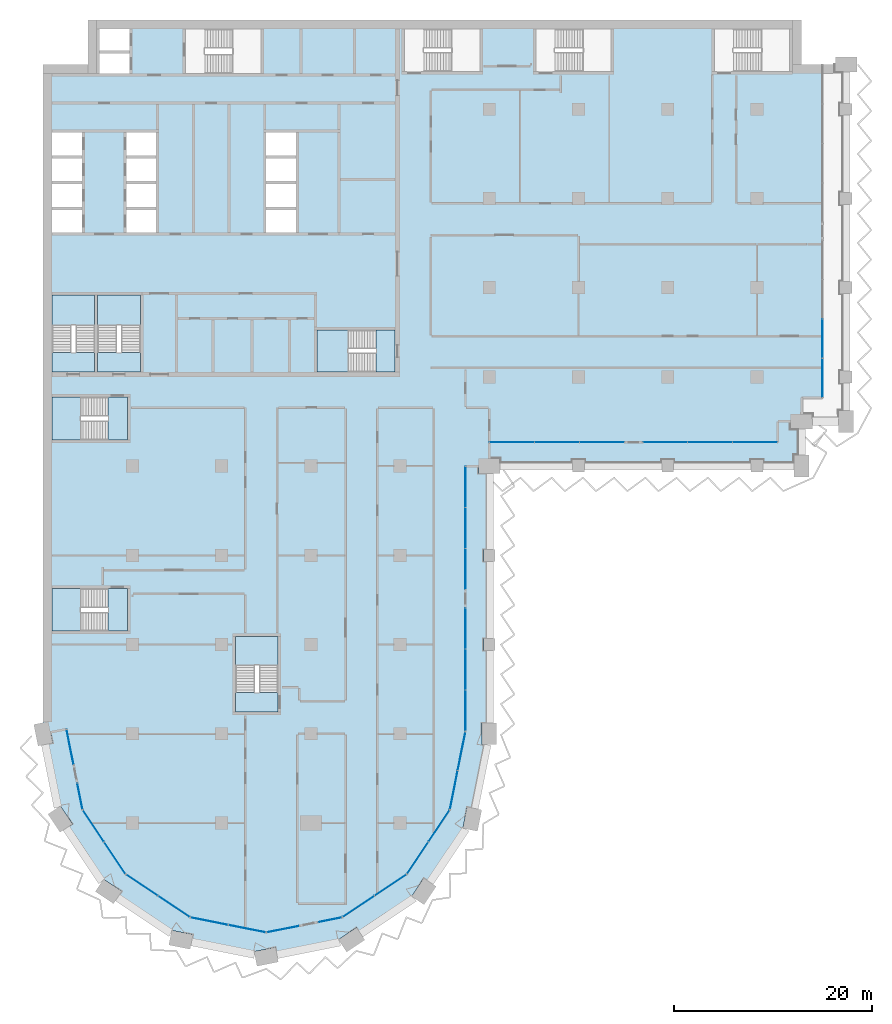
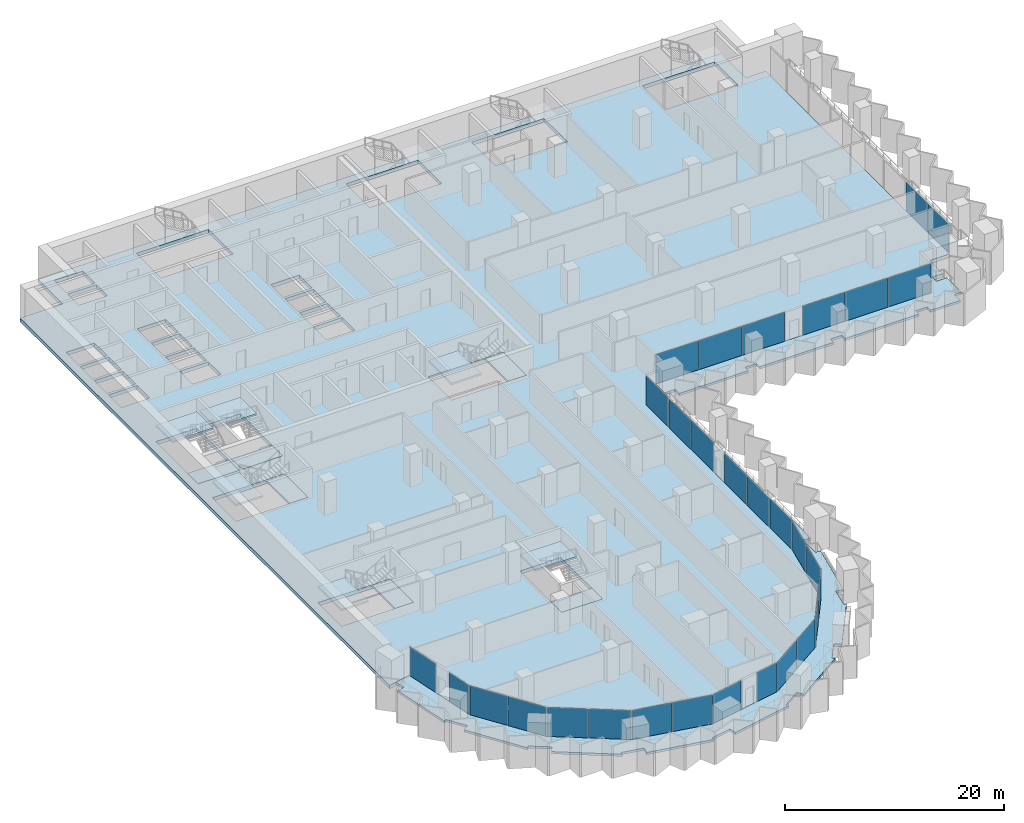
# One storey, part 7 of 23: 30 plates, 15 slabs, 21 elements without a shape of their own.
"""IFC4 building model written with IfcOpenShell, lengths in metres."""

from ifc_helpers import new_model, si_unit, direction, frame, origin, origin_2d, place, context, subcontext, project, spatial, polyline, rectangle, outline, extrude, material, layer, layer_set, type_object, element, aggregate, save


model = new_model("IFC4")

# Units and contexts
model_context = context("Model", 3, precision=1e-05, world=origin(), true_north=direction((0.0, 1.0)))
body_context = subcontext(model_context, "Body", "Model", "MODEL_VIEW")
ifc_project = project(units=[si_unit("LENGTHUNIT", "METRE"), si_unit("AREAUNIT", "SQUARE_METRE"), si_unit("VOLUMEUNIT", "CUBIC_METRE"), si_unit("PLANEANGLEUNIT", "RADIAN"), si_unit("MASSUNIT", "GRAM", prefix="KILO")], contexts=[model_context])

# Site, building, storey
site_placement = place(None, origin())
site = spatial("IfcSite", under=ifc_project, at=site_placement, CompositionType="ELEMENT")
building_placement = place(site_placement, origin())
building = spatial("IfcBuilding", under=site, at=building_placement, Name="Hunhe Ridgeline Campus", CompositionType="ELEMENT")
storey_placement = place(building_placement, frame((0.0, 0.0, 121.800048828125)))
storey = spatial("IfcBuildingStorey", under=building, at=storey_placement, Name="L30", CompositionType="ELEMENT", Elevation=121.800048828125)

# Curtain wall, plate
ifc_material_1 = material(Name="Aluminium 6063", Category="aluminium")
curtain_wall_type_1 = type_object("IfcCurtainWallType", Name="Curtain wall CW-5", PredefinedType="NOTDEFINED", material=ifc_material_1)
curtain_wall_1_placement = place(storey_placement, origin())
curtain_wall_1 = element("IfcCurtainWall", 1, at=curtain_wall_1_placement, inside=storey, type_object=curtain_wall_type_1, Name="Curtain wall 01", PredefinedType="NOTDEFINED")
ifc_material_2 = material(Name="Low-e laminated glass", Category="glass")
ifc_layer_1 = layer(ifc_material_2, 0.028076171875)
ifc_layer_set_1 = layer_set([ifc_layer_1], Name="Curtain wall glass panel 28 low-e laminated")
plate_type = type_object("IfcPlateType", Name="Curtain wall glass panel 28 low-e laminated", PredefinedType="CURTAIN_PANEL", material=ifc_layer_set_1)
plate_1_placement = place(storey_placement, frame((2.7158203125, 25.65380859375, 0.0), z_axis=(0.0, 0.0, 1.0), x_axis=(0.195095326561, -0.980784284924, 0.0)))
plate_1 = element("IfcPlate", 2, at=plate_1_placement, type_object=plate_type, Name="CW-5 panel 1", PredefinedType="CURTAIN_PANEL", context=body_context, shape_type="SweptSolid", body=[
    extrude(rectangle(XDim=3.560791015625, YDim=0.028076171875, at=origin_2d()), origin(), (0.0, 0.0, 1.0), 3.22998046875),
])
aggregate(curtain_wall_1, [plate_1])

curtain_wall_2_placement = place(storey_placement, origin())
curtain_wall_2 = element("IfcCurtainWall", 3, at=curtain_wall_2_placement, inside=storey, type_object=curtain_wall_type_1, Name="Curtain wall 02", PredefinedType="NOTDEFINED")
plate_2_placement = place(storey_placement, frame((3.701171875, 20.699951171875, 0.0), z_axis=(0.0, 0.0, 1.0), x_axis=(0.195095265587, -0.980784297053, 0.0)))
plate_2 = element("IfcPlate", 4, at=plate_2_placement, type_object=plate_type, Name="CW-5 panel 1", PredefinedType="CURTAIN_PANEL", context=body_context, shape_type="SweptSolid", body=[
    extrude(rectangle(XDim=2.660888671875, YDim=0.028076171875, at=origin_2d()), origin(), (0.0, 0.0, 1.0), 3.22998046875),
])
aggregate(curtain_wall_2, [plate_2])

# Curtain wall, plates
curtain_wall_3_placement = place(storey_placement, origin())
curtain_wall_3 = element("IfcCurtainWall", 5, at=curtain_wall_3_placement, inside=storey, type_object=curtain_wall_type_1, Name="Curtain wall 03", PredefinedType="NOTDEFINED")
plate_3_placement = place(storey_placement, frame((5.07080078125, 17.685546875, 0.0), z_axis=(0.0, 0.0, 1.0), x_axis=(0.555570274596, -0.831469584522, 0.0)))
plate_3 = element("IfcPlate", 6, at=plate_3_placement, type_object=plate_type, Name="CW-5 panel 1", PredefinedType="CURTAIN_PANEL", context=body_context, shape_type="SweptSolid", body=[
    extrude(rectangle(XDim=3.806884765625, YDim=0.028076171875, at=origin_2d()), origin(), (0.0, 0.0, 1.0), 3.22998046875),
])
plate_4_placement = place(storey_placement, frame((7.224609375, 14.4619140625, 0.0), z_axis=(0.0, 0.0, 1.0), x_axis=(0.555570274596, -0.831469584522, 0.0)))
plate_4 = element("IfcPlate", 7, at=plate_4_placement, type_object=plate_type, Name="CW-5 panel 2", PredefinedType="CURTAIN_PANEL", context=body_context, shape_type="SweptSolid", body=[
    extrude(rectangle(XDim=3.806884765625, YDim=0.028076171875, at=origin_2d()), origin(), (0.0, 0.0, 1.0), 3.22998046875),
])
aggregate(curtain_wall_3, [plate_3, plate_4])

curtain_wall_4_placement = place(storey_placement, origin())
curtain_wall_4 = element("IfcCurtainWall", 8, at=curtain_wall_4_placement, inside=storey, type_object=curtain_wall_type_1, Name="Curtain wall 04", PredefinedType="NOTDEFINED")
plate_5_placement = place(storey_placement, frame((9.9619140625, 11.724609375, 0.0), z_axis=(0.0, 0.0, 1.0), x_axis=(0.831469584522, -0.555570274596, 0.0)))
plate_5 = element("IfcPlate", 9, at=plate_5_placement, type_object=plate_type, Name="CW-5 panel 1", PredefinedType="CURTAIN_PANEL", context=body_context, shape_type="SweptSolid", body=[
    extrude(rectangle(XDim=3.806884765625, YDim=0.028076171875, at=origin_2d()), origin(), (0.0, 0.0, 1.0), 3.22998046875),
])
plate_6_placement = place(storey_placement, frame((13.185546875, 9.57080078125, 0.0), z_axis=(0.0, 0.0, 1.0), x_axis=(0.831469584522, -0.555570274596, 0.0)))
plate_6 = element("IfcPlate", 10, at=plate_6_placement, type_object=plate_type, Name="CW-5 panel 2", PredefinedType="CURTAIN_PANEL", context=body_context, shape_type="SweptSolid", body=[
    extrude(rectangle(XDim=3.806884765625, YDim=0.028076171875, at=origin_2d()), origin(), (0.0, 0.0, 1.0), 3.22998046875),
])
aggregate(curtain_wall_4, [plate_5, plate_6])

curtain_wall_5_placement = place(storey_placement, origin())
curtain_wall_5 = element("IfcCurtainWall", 11, at=curtain_wall_5_placement, inside=storey, type_object=curtain_wall_type_1, Name="Curtain wall 05", PredefinedType="NOTDEFINED")
plate_7_placement = place(storey_placement, frame((16.761962890625, 8.08935546875, 0.0), z_axis=(0.0, 0.0, 1.0), x_axis=(0.980785275326, -0.195090347539, 0.0)))
plate_7 = element("IfcPlate", 12, at=plate_7_placement, type_object=plate_type, Name="CW-5 panel 1", PredefinedType="CURTAIN_PANEL", context=body_context, shape_type="SweptSolid", body=[
    extrude(rectangle(XDim=3.806884765625, YDim=0.028076171875, at=origin_2d()), origin(), (0.0, 0.0, 1.0), 3.22998046875),
])
plate_8_placement = place(storey_placement, frame((20.564453125, 7.3330078125, 0.0), z_axis=(0.0, 0.0, 1.0), x_axis=(0.980785275326, -0.195090347539, 0.0)))
plate_8 = element("IfcPlate", 13, at=plate_8_placement, type_object=plate_type, Name="CW-5 panel 2", PredefinedType="CURTAIN_PANEL", context=body_context, shape_type="SweptSolid", body=[
    extrude(rectangle(XDim=3.806884765625, YDim=0.028076171875, at=origin_2d()), origin(), (0.0, 0.0, 1.0), 3.22998046875),
])
aggregate(curtain_wall_5, [plate_7, plate_8])

# Curtain wall, plate
curtain_wall_6_placement = place(storey_placement, origin())
curtain_wall_6 = element("IfcCurtainWall", 14, at=curtain_wall_6_placement, inside=storey, type_object=curtain_wall_type_1, Name="Curtain wall 06", PredefinedType="NOTDEFINED")
plate_9_placement = place(storey_placement, frame((24.19775390625, 7.28564453125, 0.0), z_axis=(0.0, 0.0, 1.0), x_axis=(0.980785270791, 0.19509037034, 0.0)))
plate_9 = element("IfcPlate", 15, at=plate_9_placement, type_object=plate_type, Name="CW-5 panel 1", PredefinedType="CURTAIN_PANEL", context=body_context, shape_type="SweptSolid", body=[
    extrude(rectangle(XDim=3.322021484375, YDim=0.028076171875, at=origin_2d()), origin(), (0.0, 0.0, 1.0), 3.22998046875),
])
aggregate(curtain_wall_6, [plate_9])

curtain_wall_7_placement = place(storey_placement, origin())
curtain_wall_7 = element("IfcCurtainWall", 16, at=curtain_wall_7_placement, inside=storey, type_object=curtain_wall_type_1, Name="Curtain wall 07", PredefinedType="NOTDEFINED")
plate_10_placement = place(storey_placement, frame((28.917236328125, 8.224609375, 0.0), z_axis=(0.0, 0.0, 1.0), x_axis=(0.980785242091, 0.195090514627, 0.0)))
plate_10 = element("IfcPlate", 17, at=plate_10_placement, type_object=plate_type, Name="CW-5 panel 1", PredefinedType="CURTAIN_PANEL", context=body_context, shape_type="SweptSolid", body=[
    extrude(rectangle(XDim=2.421875, YDim=0.028076171875, at=origin_2d()), origin(), (0.0, 0.0, 1.0), 3.22998046875),
])
aggregate(curtain_wall_7, [plate_10])

# Curtain wall, plates
curtain_wall_8_placement = place(storey_placement, origin())
curtain_wall_8 = element("IfcCurtainWall", 18, at=curtain_wall_8_placement, inside=storey, type_object=curtain_wall_type_1, Name="Curtain wall 08", PredefinedType="NOTDEFINED")
plate_11_placement = place(storey_placement, frame((31.814453125, 9.57080078125, 0.0), z_axis=(0.0, 0.0, 1.0), x_axis=(0.831469584522, 0.555570274596, 0.0)))
plate_11 = element("IfcPlate", 19, at=plate_11_placement, type_object=plate_type, Name="CW-5 panel 1", PredefinedType="CURTAIN_PANEL", context=body_context, shape_type="SweptSolid", body=[
    extrude(rectangle(XDim=3.806884765625, YDim=0.028076171875, at=origin_2d()), origin(), (0.0, 0.0, 1.0), 3.22998046875),
])
plate_12_placement = place(storey_placement, frame((35.0380859375, 11.724609375, 0.0), z_axis=(0.0, 0.0, 1.0), x_axis=(0.831469584522, 0.555570274596, 0.0)))
plate_12 = element("IfcPlate", 20, at=plate_12_placement, type_object=plate_type, Name="CW-5 panel 2", PredefinedType="CURTAIN_PANEL", context=body_context, shape_type="SweptSolid", body=[
    extrude(rectangle(XDim=3.806884765625, YDim=0.028076171875, at=origin_2d()), origin(), (0.0, 0.0, 1.0), 3.22998046875),
])
aggregate(curtain_wall_8, [plate_11, plate_12])

curtain_wall_9_placement = place(storey_placement, origin())
curtain_wall_9 = element("IfcCurtainWall", 21, at=curtain_wall_9_placement, inside=storey, type_object=curtain_wall_type_1, Name="Curtain wall 09", PredefinedType="NOTDEFINED")
plate_13_placement = place(storey_placement, frame((37.775390625, 14.4619140625, 0.0), z_axis=(0.0, 0.0, 1.0), x_axis=(0.555570274596, 0.831469584522, 0.0)))
plate_13 = element("IfcPlate", 22, at=plate_13_placement, type_object=plate_type, Name="CW-5 panel 1", PredefinedType="CURTAIN_PANEL", context=body_context, shape_type="SweptSolid", body=[
    extrude(rectangle(XDim=3.806884765625, YDim=0.028076171875, at=origin_2d()), origin(), (0.0, 0.0, 1.0), 3.22998046875),
])
plate_14_placement = place(storey_placement, frame((39.92919921875, 17.685546875, 0.0), z_axis=(0.0, 0.0, 1.0), x_axis=(0.555570274596, 0.831469584522, 0.0)))
plate_14 = element("IfcPlate", 23, at=plate_14_placement, type_object=plate_type, Name="CW-5 panel 2", PredefinedType="CURTAIN_PANEL", context=body_context, shape_type="SweptSolid", body=[
    extrude(rectangle(XDim=3.806884765625, YDim=0.028076171875, at=origin_2d()), origin(), (0.0, 0.0, 1.0), 3.22998046875),
])
aggregate(curtain_wall_9, [plate_13, plate_14])

curtain_wall_10_placement = place(storey_placement, origin())
curtain_wall_10 = element("IfcCurtainWall", 24, at=curtain_wall_10_placement, inside=storey, type_object=curtain_wall_type_1, Name="Curtain wall 10", PredefinedType="NOTDEFINED")
plate_15_placement = place(storey_placement, frame((41.42236328125, 21.321044921875, 0.0), z_axis=(0.0, 0.0, 1.0), x_axis=(0.195090299215, 0.980785284939, 0.0)))
plate_15 = element("IfcPlate", 25, at=plate_15_placement, type_object=plate_type, Name="CW-5 panel 1", PredefinedType="CURTAIN_PANEL", context=body_context, shape_type="SweptSolid", body=[
    extrude(rectangle(XDim=3.927490234375, YDim=0.028076171875, at=origin_2d()), origin(), (0.0, 0.0, 1.0), 3.22998046875),
])
plate_16_placement = place(storey_placement, frame((42.2021484375, 25.24169921875, 0.0), z_axis=(0.0, 0.0, 1.0), x_axis=(0.195090299215, 0.980785284939, 0.0)))
plate_16 = element("IfcPlate", 26, at=plate_16_placement, type_object=plate_type, Name="CW-5 panel 2", PredefinedType="CURTAIN_PANEL", context=body_context, shape_type="SweptSolid", body=[
    extrude(rectangle(XDim=3.927490234375, YDim=0.028076171875, at=origin_2d()), origin(), (0.0, 0.0, 1.0), 3.22998046875),
])
aggregate(curtain_wall_10, [plate_15, plate_16])

curtain_wall_type_2 = type_object("IfcCurtainWallType", Name="Curtain wall CW-1", PredefinedType="NOTDEFINED", material=ifc_material_1)
curtain_wall_11_placement = place(storey_placement, origin())
curtain_wall_11 = element("IfcCurtainWall", 27, at=curtain_wall_11_placement, inside=storey, type_object=curtain_wall_type_2, Name="Curtain wall 11", PredefinedType="NOTDEFINED")
plate_17_placement = place(storey_placement, frame((42.59912109375, 29.331787109375, 0.0), z_axis=(0.0, 0.0, 1.0), x_axis=(1.0975712e-05, 0.99999999994, 0.0)))
plate_17 = element("IfcPlate", 28, at=plate_17_placement, type_object=plate_type, Name="CW-1 panel 1", PredefinedType="CURTAIN_PANEL", context=body_context, shape_type="SweptSolid", body=[
    extrude(rectangle(XDim=4.07080078125, YDim=0.028076171875, at=origin_2d()), origin(), (0.0, 0.0, 1.0), 3.239990234375),
])
plate_18_placement = place(storey_placement, frame((42.59912109375, 33.4775390625, 0.0), z_axis=(0.0, 0.0, 1.0), x_axis=(1.0975712e-05, 0.99999999994, 0.0)))
plate_18 = element("IfcPlate", 29, at=plate_18_placement, type_object=plate_type, Name="CW-1 panel 2", PredefinedType="CURTAIN_PANEL", context=body_context, shape_type="SweptSolid", body=[
    extrude(rectangle(XDim=4.1005859375, YDim=0.028076171875, at=origin_2d()), origin(), (0.0, 0.0, 1.0), 3.239990234375),
])
plate_19_placement = place(storey_placement, frame((42.59912109375, 37.623291015625, 0.0), z_axis=(0.0, 0.0, 1.0), x_axis=(1.0975712e-05, 0.99999999994, 0.0)))
plate_19 = element("IfcPlate", 30, at=plate_19_placement, type_object=plate_type, Name="CW-1 panel 3", PredefinedType="CURTAIN_PANEL", context=body_context, shape_type="SweptSolid", body=[
    extrude(rectangle(XDim=4.07080078125, YDim=0.028076171875, at=origin_2d()), origin(), (0.0, 0.0, 1.0), 3.239990234375),
])
aggregate(curtain_wall_11, [plate_17, plate_18, plate_19])

curtain_wall_12_placement = place(storey_placement, origin())
curtain_wall_12 = element("IfcCurtainWall", 31, at=curtain_wall_12_placement, inside=storey, type_object=curtain_wall_type_2, Name="Curtain wall 12", PredefinedType="NOTDEFINED")
plate_20_placement = place(storey_placement, frame((42.59912109375, 43.614013671875, 0.0), z_axis=(0.0, 0.0, 1.0), x_axis=(1.0975712e-05, 0.99999999994, 0.0)))
plate_20 = element("IfcPlate", 32, at=plate_20_placement, type_object=plate_type, Name="CW-1 panel 1", PredefinedType="CURTAIN_PANEL", context=body_context, shape_type="SweptSolid", body=[
    extrude(rectangle(XDim=4.07080078125, YDim=0.028076171875, at=origin_2d()), origin(), (0.0, 0.0, 1.0), 3.239990234375),
])
plate_21_placement = place(storey_placement, frame((42.59912109375, 47.759765625, 0.0), z_axis=(0.0, 0.0, 1.0), x_axis=(1.0975712e-05, 0.99999999994, 0.0)))
plate_21 = element("IfcPlate", 33, at=plate_21_placement, type_object=plate_type, Name="CW-1 panel 2", PredefinedType="CURTAIN_PANEL", context=body_context, shape_type="SweptSolid", body=[
    extrude(rectangle(XDim=4.1005859375, YDim=0.028076171875, at=origin_2d()), origin(), (0.0, 0.0, 1.0), 3.239990234375),
])
plate_22_placement = place(storey_placement, frame((42.599365234375, 51.9052734375, 0.0), z_axis=(0.0, 0.0, 1.0), x_axis=(1.0975712e-05, 0.99999999994, 0.0)))
plate_22 = element("IfcPlate", 34, at=plate_22_placement, type_object=plate_type, Name="CW-1 panel 3", PredefinedType="CURTAIN_PANEL", context=body_context, shape_type="SweptSolid", body=[
    extrude(rectangle(XDim=4.07080078125, YDim=0.028076171875, at=origin_2d()), origin(), (0.0, 0.0, 1.0), 3.239990234375),
])
aggregate(curtain_wall_12, [plate_20, plate_21, plate_22])

curtain_wall_13_placement = place(storey_placement, origin())
curtain_wall_13 = element("IfcCurtainWall", 35, at=curtain_wall_13_placement, inside=storey, type_object=curtain_wall_type_2, Name="Curtain wall 13", PredefinedType="NOTDEFINED")
plate_23_placement = place(storey_placement, frame((47.289794921875, 56.40087890625, 0.0), z_axis=(0.0, 0.0, 1.0), x_axis=(1.0, 1.4652e-07, 0.0)))
plate_23 = element("IfcPlate", 36, at=plate_23_placement, type_object=plate_type, Name="CW-1 panel 1", PredefinedType="CURTAIN_PANEL", context=body_context, shape_type="SweptSolid", body=[
    extrude(rectangle(XDim=4.4599609375, YDim=0.028076171875, at=origin_2d()), origin(), (0.0, 0.0, 1.0), 3.239990234375),
])
plate_24_placement = place(storey_placement, frame((51.82470703125, 56.40087890625, 0.0), z_axis=(0.0, 0.0, 1.0), x_axis=(1.0, 1.4652e-07, 0.0)))
plate_24 = element("IfcPlate", 37, at=plate_24_placement, type_object=plate_type, Name="CW-1 panel 2", PredefinedType="CURTAIN_PANEL", context=body_context, shape_type="SweptSolid", body=[
    extrude(rectangle(XDim=4.48974609375, YDim=0.028076171875, at=origin_2d()), origin(), (0.0, 0.0, 1.0), 3.239990234375),
])
plate_25_placement = place(storey_placement, frame((56.359619140625, 56.40087890625, 0.0), z_axis=(0.0, 0.0, 1.0), x_axis=(1.0, 1.4652e-07, 0.0)))
plate_25 = element("IfcPlate", 38, at=plate_25_placement, type_object=plate_type, Name="CW-1 panel 3", PredefinedType="CURTAIN_PANEL", context=body_context, shape_type="SweptSolid", body=[
    extrude(rectangle(XDim=4.4599609375, YDim=0.028076171875, at=origin_2d()), origin(), (0.0, 0.0, 1.0), 3.239990234375),
])
aggregate(curtain_wall_13, [plate_23, plate_24, plate_25])

curtain_wall_14_placement = place(storey_placement, origin())
curtain_wall_14 = element("IfcCurtainWall", 39, at=curtain_wall_14_placement, inside=storey, type_object=curtain_wall_type_2, Name="Curtain wall 14", PredefinedType="NOTDEFINED")
plate_26_placement = place(storey_placement, frame((62.7392578125, 56.40087890625, 0.0), z_axis=(0.0, 0.0, 1.0), x_axis=(1.0, 1.4652e-07, 0.0)))
plate_26 = element("IfcPlate", 40, at=plate_26_placement, type_object=plate_type, Name="CW-1 panel 1", PredefinedType="CURTAIN_PANEL", context=body_context, shape_type="SweptSolid", body=[
    extrude(rectangle(XDim=4.4599609375, YDim=0.028076171875, at=origin_2d()), origin(), (0.0, 0.0, 1.0), 3.239990234375),
])
plate_27_placement = place(storey_placement, frame((67.274169921875, 56.40087890625, 0.0), z_axis=(0.0, 0.0, 1.0), x_axis=(1.0, 1.4652e-07, 0.0)))
plate_27 = element("IfcPlate", 41, at=plate_27_placement, type_object=plate_type, Name="CW-1 panel 2", PredefinedType="CURTAIN_PANEL", context=body_context, shape_type="SweptSolid", body=[
    extrude(rectangle(XDim=4.48974609375, YDim=0.028076171875, at=origin_2d()), origin(), (0.0, 0.0, 1.0), 3.239990234375),
])
plate_28_placement = place(storey_placement, frame((71.80908203125, 56.40087890625, 0.0), z_axis=(0.0, 0.0, 1.0), x_axis=(1.0, 1.4652e-07, 0.0)))
plate_28 = element("IfcPlate", 42, at=plate_28_placement, type_object=plate_type, Name="CW-1 panel 3", PredefinedType="CURTAIN_PANEL", context=body_context, shape_type="SweptSolid", body=[
    extrude(rectangle(XDim=4.4599609375, YDim=0.028076171875, at=origin_2d()), origin(), (0.0, 0.0, 1.0), 3.239990234375),
])
aggregate(curtain_wall_14, [plate_26, plate_27, plate_28])

curtain_wall_15_placement = place(storey_placement, origin())
curtain_wall_15 = element("IfcCurtainWall", 43, at=curtain_wall_15_placement, inside=storey, type_object=curtain_wall_type_2, Name="Curtain wall 15", PredefinedType="NOTDEFINED")
plate_29_placement = place(storey_placement, frame((78.59912109375, 62.9033203125, 0.0), z_axis=(0.0, 0.0, 1.0), x_axis=(0.0, 1.0, 0.0)))
plate_29 = element("IfcPlate", 44, at=plate_29_placement, type_object=plate_type, Name="CW-1 panel 1", PredefinedType="CURTAIN_PANEL", context=body_context, shape_type="SweptSolid", body=[
    extrude(rectangle(XDim=3.884765625, YDim=0.028076171875, at=origin_2d()), origin(), (0.0, 0.0, 1.0), 3.239990234375),
])
plate_30_placement = place(storey_placement, frame((78.59912109375, 66.86328125, 0.0), z_axis=(0.0, 0.0, 1.0), x_axis=(0.0, 1.0, 0.0)))
plate_30 = element("IfcPlate", 45, at=plate_30_placement, type_object=plate_type, Name="CW-1 panel 2", PredefinedType="CURTAIN_PANEL", context=body_context, shape_type="SweptSolid", body=[
    extrude(rectangle(XDim=3.914794921875, YDim=0.028076171875, at=origin_2d()), origin(), (0.0, 0.0, 1.0), 3.239990234375),
])
aggregate(curtain_wall_15, [plate_29, plate_30])

# Slabs
ifc_material_3 = material(Name="Concrete C40", Category="concrete")
ifc_layer_2 = layer(ifc_material_3, 0.39990234375)
ifc_layer_set_2 = layer_set([ifc_layer_2], Name="Floor slab 400 Concrete C40")
slab_type_1 = type_object("IfcSlabType", Name="Floor slab 400 Concrete C40", PredefinedType="FLOOR", material=ifc_layer_set_2)
slab_1_placement = place(storey_placement, frame((0.0, 0.0, -0.400146484375)))
element("IfcSlab", 46, at=slab_1_placement, inside=storey, type_object=slab_type_1, Name="Floor slab L30 1", PredefinedType="FLOOR", context=body_context, shape_type="SweptSolid", body=[
    extrude(outline(polyline([(0.0, 27.0009765625), (2.354736328125, 27.46875), (3.974365234375, 19.326416015625), (8.321044921875, 12.821044921875), (14.826416015625, 8.474365234375), (22.5, 6.947998046875), (30.173583984375, 8.474365234375), (36.678955078125, 12.821044921875), (41.025634765625, 19.326416015625), (42.59912109375, 27.236572265625), (42.599365234375, 54.000732421875), (44.9990234375, 54.0009765625), (45.0, 56.40087890625), (74.09912109375, 56.40087890625), (74.099365234375, 58.500732421875), (76.4990234375, 58.5009765625), (76.499267578125, 60.900634765625), (78.59912109375, 60.90087890625), (78.59912109375, 94.5), (76.5, 94.5), (76.5, 99.0), (4.5, 99.0), (4.5, 94.5), (0.0, 94.5), (0.0, 27.0009765625)]), holes=[polyline([(67.699951171875, 93.800048828125), (75.300048828125, 93.800048828125), (75.300048828125, 98.10009765625), (67.699951171875, 98.10009765625), (67.699951171875, 93.800048828125)]), polyline([(57.300048828125, 93.800048828125), (57.300048828125, 98.10009765625), (49.699951171875, 98.10009765625), (49.699951171875, 93.800048828125), (57.300048828125, 93.800048828125)]), polyline([(44.050048828125, 98.10009765625), (36.449951171875, 98.10009765625), (36.449951171875, 93.800048828125), (44.050048828125, 93.800048828125), (44.050048828125, 98.10009765625)]), polyline([(27.60009765625, 67.75), (27.60009765625, 63.5), (35.5, 63.5), (35.5, 67.75), (27.60009765625, 67.75)]), polyline([(25.5, 85.35009765625), (25.5, 87.64990234375), (22.5, 87.64990234375), (22.5, 85.35009765625), (25.5, 85.35009765625)]), polyline([(25.5, 85.050048828125), (22.5, 85.050048828125), (22.5, 82.75), (25.5, 82.75), (25.5, 85.050048828125)]), polyline([(22.5, 82.449951171875), (22.5, 80.14990234375), (25.5, 80.14990234375), (25.5, 82.449951171875), (22.5, 82.449951171875)]), polyline([(22.5, 77.550048828125), (25.5, 77.550048828125), (25.5, 79.85009765625), (22.5, 79.85009765625), (22.5, 77.550048828125)]), polyline([(19.39990234375, 29.199951171875), (23.699951171875, 29.199951171875), (23.699951171875, 36.800048828125), (19.39990234375, 36.800048828125), (19.39990234375, 29.199951171875)]), polyline([(21.949951171875, 98.10009765625), (14.35009765625, 98.10009765625), (14.35009765625, 93.60009765625), (21.949951171875, 93.60009765625), (21.949951171875, 98.10009765625)]), polyline([(8.39990234375, 82.449951171875), (8.39990234375, 80.14990234375), (11.39990234375, 80.14990234375), (11.39990234375, 82.449951171875), (8.39990234375, 82.449951171875)]), polyline([(11.39990234375, 85.35009765625), (11.39990234375, 87.64990234375), (8.39990234375, 87.64990234375), (8.39990234375, 85.35009765625), (11.39990234375, 85.35009765625)]), polyline([(11.39990234375, 85.050048828125), (8.39990234375, 85.050048828125), (8.39990234375, 82.75), (11.39990234375, 82.75), (11.39990234375, 85.050048828125)]), polyline([(8.39990234375, 77.550048828125), (11.39990234375, 77.550048828125), (11.39990234375, 79.85009765625), (8.39990234375, 79.85009765625), (8.39990234375, 77.550048828125)]), polyline([(5.5, 63.5), (9.800048828125, 63.5), (9.800048828125, 71.25), (5.5, 71.25), (5.5, 63.5)]), polyline([(5.699951171875, 98.10009765625), (5.699951171875, 95.89990234375), (8.699951171875, 95.89990234375), (8.699951171875, 98.10009765625), (5.699951171875, 98.10009765625)]), polyline([(5.699951171875, 93.60009765625), (8.699951171875, 93.60009765625), (8.699951171875, 95.60009765625), (5.699951171875, 95.60009765625), (5.699951171875, 93.60009765625)]), polyline([(0.89990234375, 60.949951171875), (0.89990234375, 56.64990234375), (8.5, 56.64990234375), (8.5, 60.949951171875), (0.89990234375, 60.949951171875)]), polyline([(0.89990234375, 37.35009765625), (8.5, 37.35009765625), (8.5, 41.64990234375), (0.89990234375, 41.64990234375), (0.89990234375, 37.35009765625)]), polyline([(5.199951171875, 63.5), (5.199951171875, 71.25), (0.89990234375, 71.25), (0.89990234375, 63.5), (5.199951171875, 63.5)]), polyline([(3.89990234375, 85.35009765625), (3.89990234375, 87.64990234375), (0.89990234375, 87.64990234375), (0.89990234375, 85.35009765625), (3.89990234375, 85.35009765625)]), polyline([(3.89990234375, 85.050048828125), (0.89990234375, 85.050048828125), (0.89990234375, 82.75), (3.89990234375, 82.75), (3.89990234375, 85.050048828125)]), polyline([(0.89990234375, 82.449951171875), (0.89990234375, 80.14990234375), (3.89990234375, 80.14990234375), (3.89990234375, 82.449951171875), (0.89990234375, 82.449951171875)]), polyline([(0.89990234375, 77.550048828125), (3.89990234375, 77.550048828125), (3.89990234375, 79.85009765625), (0.89990234375, 79.85009765625), (0.89990234375, 77.550048828125)])]), origin(), (0.0, 0.0, 1.0), 0.400146484375),
])
ifc_layer_3 = layer(ifc_material_3, 0.25)
ifc_layer_set_3 = layer_set([ifc_layer_3], Name="Loggia slab 250 Concrete C40")
slab_type_2 = type_object("IfcSlabType", Name="Loggia slab 250 Concrete C40", PredefinedType="FLOOR", material=ifc_layer_set_3)
slab_2_placement = place(storey_placement, frame((0.0, 0.0, -0.25)))
element("IfcSlab", 47, at=slab_2_placement, inside=storey, type_object=slab_type_2, Name="Loggia slab 1", PredefinedType="FLOOR", context=body_context, shape_type="SweptSolid", body=[
    extrude(outline(polyline([(30.173828125, 8.473388671875), (22.5, 6.947021484375), (14.826171875, 8.473388671875), (8.3203125, 12.8203125), (3.973388671875, 19.326171875), (2.35400390625, 27.46826171875), (0.735595703125, 27.146240234375), (0.9501953125, 26.0673828125), (0.214599609375, 25.921142578125), (1.48046875, 19.557373046875), (1.72509765625, 19.720947265625), (2.947509765625, 17.8916015625), (2.32373046875, 17.47509765625), (5.9287109375, 12.080078125), (6.092041015625, 12.32470703125), (7.92138671875, 11.1025390625), (7.504638671875, 10.47900390625), (12.899658203125, 6.874267578125), (12.95703125, 7.162841796875), (15.11474609375, 6.733642578125), (14.968505859375, 5.998046875), (21.332275390625, 4.732177734375), (21.27490234375, 5.02099609375), (23.4326171875, 5.4501953125), (23.578857421875, 4.714599609375), (29.942626953125, 5.98046875), (29.779052734375, 6.22509765625), (31.6083984375, 7.447509765625), (32.02490234375, 6.82373046875), (37.419921875, 10.4287109375), (37.17529296875, 10.592041015625), (38.3974609375, 12.42138671875), (39.02099609375, 12.004638671875), (42.625732421875, 17.399658203125), (42.337158203125, 17.45703125), (42.766357421875, 19.61474609375), (43.501953125, 19.468505859375), (44.78125, 25.89990234375), (44.25, 25.89990234375), (44.25, 28.10009765625), (45.0, 28.10009765625), (45.0, 35.39990234375), (44.39990234375, 35.39990234375), (44.39990234375, 36.60009765625), (45.0, 36.60009765625), (45.0, 44.39990234375), (44.39990234375, 44.39990234375), (44.39990234375, 45.60009765625), (45.0, 45.60009765625), (45.0, 53.25), (43.89990234375, 53.25), (43.89990234375, 54.0), (42.60009765625, 54.0), (42.60009765625, 27.236328125), (41.026611328125, 19.326171875), (36.6796875, 12.8203125), (30.173828125, 8.473388671875)])), origin(), (0.0, 0.0, 1.0), 0.25),
])
slab_3_placement = place(storey_placement, frame((0.0, 0.0, -0.25)))
element("IfcSlab", 48, at=slab_3_placement, inside=storey, type_object=slab_type_2, Name="Loggia slab 2", PredefinedType="FLOOR", context=body_context, shape_type="SweptSolid", body=[
    extrude(outline(polyline([(45.0, 54.75), (46.10009765625, 54.75), (46.10009765625, 54.0), (53.39990234375, 54.0), (53.39990234375, 54.60009765625), (54.60009765625, 54.60009765625), (54.60009765625, 54.0), (62.39990234375, 54.0), (62.39990234375, 54.60009765625), (63.60009765625, 54.60009765625), (63.60009765625, 54.0), (71.39990234375, 54.0), (71.39990234375, 54.60009765625), (72.60009765625, 54.60009765625), (72.60009765625, 54.0), (75.75, 54.0), (75.75, 55.10009765625), (76.5, 55.10009765625), (76.5, 57.75), (75.39990234375, 57.75), (75.39990234375, 58.5), (74.10009765625, 58.5), (74.10009765625, 56.39990234375), (45.0, 56.39990234375), (45.0, 54.75)])), origin(), (0.0, 0.0, 1.0), 0.25),
])

# Stair, slab
stair_type = type_object("IfcStairType", Name="Reinforced concrete dog-leg stair 1950 Concrete C40", PredefinedType="HALF_TURN_STAIR", material=ifc_material_3)
stair_1_placement = place(storey_placement, origin())
stair_1 = element("IfcStair", 49, at=stair_1_placement, inside=storey, type_object=stair_type, Name="L30 S2", PredefinedType="HALF_TURN_STAIR")
ifc_layer_4 = layer(ifc_material_3, 0.199951171875)
ifc_layer_set_4 = layer_set([ifc_layer_4], Name="Reinforced concrete stair landing 200 Concrete C40")
slab_type_3 = type_object("IfcSlabType", Name="Reinforced concrete stair landing 200 Concrete C40", PredefinedType="LANDING", material=ifc_layer_set_4)
slab_4_placement = place(storey_placement, frame((0.0, 0.0, 1.64990234375)))
slab_4 = element("IfcSlab", 50, at=slab_4_placement, type_object=slab_type_3, Name="ST2 landing 1", PredefinedType="LANDING", context=body_context, shape_type="SweptSolid", body=[
    extrude(outline(polyline([(30.75, 67.75), (27.60009765625, 67.75), (27.60009765625, 63.5), (30.75, 63.5), (30.75, 67.75)])), origin(), (0.0, 0.0, 1.0), 0.199951171875),
])
aggregate(stair_1, [slab_4])

# Slab
slab_5_placement = place(storey_placement, frame((0.0, 0.0, -0.199951171875)))
element("IfcSlab", 51, at=slab_5_placement, inside=storey, type_object=slab_type_3, Name="L30 stair S2 floor landing", PredefinedType="LANDING", context=body_context, shape_type="SweptSolid", body=[
    extrude(outline(polyline([(35.5, 67.75), (33.550048828125, 67.75), (33.550048828125, 63.5), (35.5, 63.5), (35.5, 67.75)])), origin(), (0.0, 0.0, 1.0), 0.199951171875),
])

# Stair, slab
stair_2_placement = place(storey_placement, origin())
stair_2 = element("IfcStair", 52, at=stair_2_placement, inside=storey, type_object=stair_type, Name="L30 S3", PredefinedType="HALF_TURN_STAIR")
slab_6_placement = place(storey_placement, frame((0.0, 0.0, 1.64990234375)))
slab_6 = element("IfcSlab", 53, at=slab_6_placement, type_object=slab_type_3, Name="ST3 landing 1", PredefinedType="LANDING", context=body_context, shape_type="SweptSolid", body=[
    extrude(outline(polyline([(5.199951171875, 68.25), (5.199951171875, 71.25), (0.89990234375, 71.25), (0.89990234375, 68.25), (5.199951171875, 68.25)])), origin(), (0.0, 0.0, 1.0), 0.199951171875),
])
aggregate(stair_2, [slab_6])

# Slab
slab_7_placement = place(storey_placement, frame((0.0, 0.0, -0.199951171875)))
element("IfcSlab", 54, at=slab_7_placement, inside=storey, type_object=slab_type_3, Name="L30 stair S3 floor landing", PredefinedType="LANDING", context=body_context, shape_type="SweptSolid", body=[
    extrude(outline(polyline([(5.199951171875, 63.5), (5.199951171875, 65.449951171875), (0.89990234375, 65.449951171875), (0.89990234375, 63.5), (5.199951171875, 63.5)])), origin(), (0.0, 0.0, 1.0), 0.199951171875),
])

# Stair, slab
stair_3_placement = place(storey_placement, origin())
stair_3 = element("IfcStair", 55, at=stair_3_placement, inside=storey, type_object=stair_type, Name="L30 S4", PredefinedType="HALF_TURN_STAIR")
slab_8_placement = place(storey_placement, frame((0.0, 0.0, 1.64990234375)))
slab_8 = element("IfcSlab", 56, at=slab_8_placement, type_object=slab_type_3, Name="ST4 landing 1", PredefinedType="LANDING", context=body_context, shape_type="SweptSolid", body=[
    extrude(outline(polyline([(9.800048828125, 68.25), (9.800048828125, 71.25), (5.5, 71.25), (5.5, 68.25), (9.800048828125, 68.25)])), origin(), (0.0, 0.0, 1.0), 0.199951171875),
])
aggregate(stair_3, [slab_8])

# Slab
slab_9_placement = place(storey_placement, frame((0.0, 0.0, -0.199951171875)))
element("IfcSlab", 57, at=slab_9_placement, inside=storey, type_object=slab_type_3, Name="L30 stair S4 floor landing", PredefinedType="LANDING", context=body_context, shape_type="SweptSolid", body=[
    extrude(outline(polyline([(9.800048828125, 63.5), (9.800048828125, 65.449951171875), (5.5, 65.449951171875), (5.5, 63.5), (9.800048828125, 63.5)])), origin(), (0.0, 0.0, 1.0), 0.199951171875),
])

# Stair, slab
stair_4_placement = place(storey_placement, origin())
stair_4 = element("IfcStair", 58, at=stair_4_placement, inside=storey, type_object=stair_type, Name="L30 W3", PredefinedType="HALF_TURN_STAIR")
slab_10_placement = place(storey_placement, frame((0.0, 0.0, 1.64990234375)))
slab_10 = element("IfcSlab", 59, at=slab_10_placement, type_object=slab_type_3, Name="ST9 landing 1", PredefinedType="LANDING", context=body_context, shape_type="SweptSolid", body=[
    extrude(outline(polyline([(23.699951171875, 33.949951171875), (23.699951171875, 36.800048828125), (19.39990234375, 36.800048828125), (19.39990234375, 33.949951171875), (23.699951171875, 33.949951171875)])), origin(), (0.0, 0.0, 1.0), 0.199951171875),
])
aggregate(stair_4, [slab_10])

# Slab
slab_11_placement = place(storey_placement, frame((0.0, 0.0, -0.199951171875)))
element("IfcSlab", 60, at=slab_11_placement, inside=storey, type_object=slab_type_3, Name="L30 stair W3 floor landing", PredefinedType="LANDING", context=body_context, shape_type="SweptSolid", body=[
    extrude(outline(polyline([(23.699951171875, 29.199951171875), (23.699951171875, 31.14990234375), (19.39990234375, 31.14990234375), (19.39990234375, 29.199951171875), (23.699951171875, 29.199951171875)])), origin(), (0.0, 0.0, 1.0), 0.199951171875),
])

# Stair, slab
stair_5_placement = place(storey_placement, origin())
stair_5 = element("IfcStair", 61, at=stair_5_placement, inside=storey, type_object=stair_type, Name="L30 W1", PredefinedType="HALF_TURN_STAIR")
slab_12_placement = place(storey_placement, frame((0.0, 0.0, 1.64990234375)))
slab_12 = element("IfcSlab", 62, at=slab_12_placement, type_object=slab_type_3, Name="ST11 landing 1", PredefinedType="LANDING", context=body_context, shape_type="SweptSolid", body=[
    extrude(outline(polyline([(3.75, 41.64990234375), (0.89990234375, 41.64990234375), (0.89990234375, 37.35009765625), (3.75, 37.35009765625), (3.75, 41.64990234375)])), origin(), (0.0, 0.0, 1.0), 0.199951171875),
])
aggregate(stair_5, [slab_12])

# Slab
slab_13_placement = place(storey_placement, frame((0.0, 0.0, -0.199951171875)))
element("IfcSlab", 63, at=slab_13_placement, inside=storey, type_object=slab_type_3, Name="L30 stair W1 floor landing", PredefinedType="LANDING", context=body_context, shape_type="SweptSolid", body=[
    extrude(outline(polyline([(8.5, 41.64990234375), (6.550048828125, 41.64990234375), (6.550048828125, 37.35009765625), (8.5, 37.35009765625), (8.5, 41.64990234375)])), origin(), (0.0, 0.0, 1.0), 0.199951171875),
])

# Stair, slab
stair_6_placement = place(storey_placement, origin())
stair_6 = element("IfcStair", 64, at=stair_6_placement, inside=storey, type_object=stair_type, Name="L30 W2", PredefinedType="HALF_TURN_STAIR")
slab_14_placement = place(storey_placement, frame((0.0, 0.0, 1.64990234375)))
slab_14 = element("IfcSlab", 65, at=slab_14_placement, type_object=slab_type_3, Name="ST12 landing 1", PredefinedType="LANDING", context=body_context, shape_type="SweptSolid", body=[
    extrude(outline(polyline([(3.75, 60.949951171875), (0.89990234375, 60.949951171875), (0.89990234375, 56.64990234375), (3.75, 56.64990234375), (3.75, 60.949951171875)])), origin(), (0.0, 0.0, 1.0), 0.199951171875),
])
aggregate(stair_6, [slab_14])

# Slab
slab_15_placement = place(storey_placement, frame((0.0, 0.0, -0.199951171875)))
element("IfcSlab", 66, at=slab_15_placement, inside=storey, type_object=slab_type_3, Name="L30 stair W2 floor landing", PredefinedType="LANDING", context=body_context, shape_type="SweptSolid", body=[
    extrude(outline(polyline([(8.5, 60.949951171875), (6.550048828125, 60.949951171875), (6.550048828125, 56.64990234375), (8.5, 56.64990234375), (8.5, 60.949951171875)])), origin(), (0.0, 0.0, 1.0), 0.199951171875),
])

save(model, "model.ifc")
